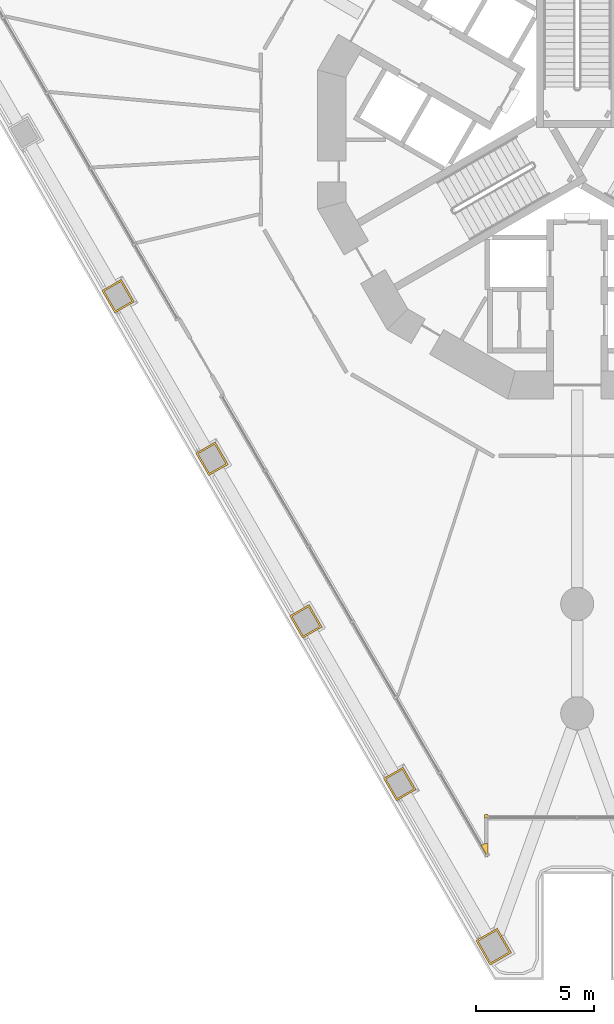
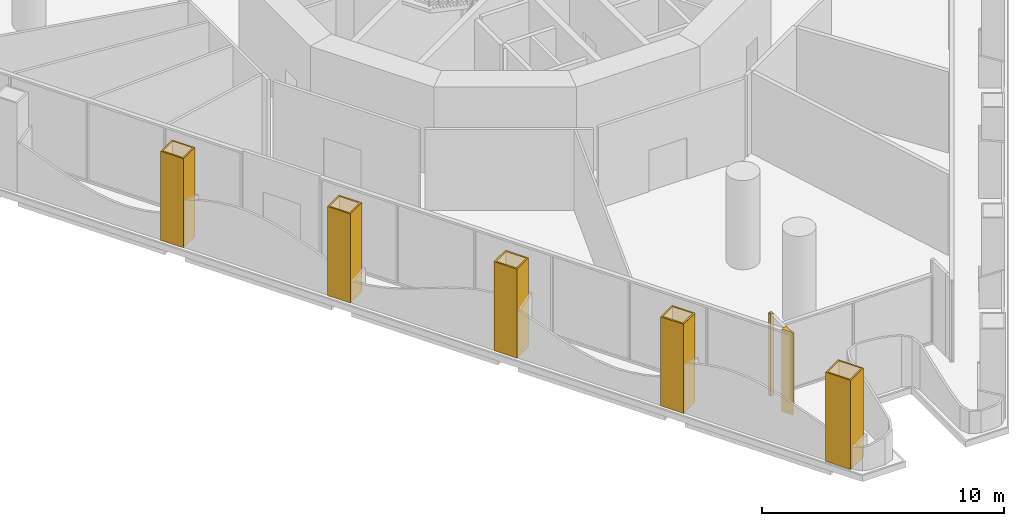
# One storey, part 16 of 23: 7 coverings.
"""IFC4 building model written with IfcOpenShell, lengths in metres."""

from ifc_helpers import new_model, si_unit, direction, frame, origin, place, context, subcontext, project, spatial, polyline, outline, extrude, material, layer, layer_set, type_object, element, save


model = new_model("IFC4")

# Units and contexts
model_context = context("Model", 3, precision=1e-05, world=origin(), true_north=direction((0.0, 1.0)))
body_context = subcontext(model_context, "Body", "Model", "MODEL_VIEW")
ifc_project = project(units=[si_unit("LENGTHUNIT", "METRE"), si_unit("AREAUNIT", "SQUARE_METRE"), si_unit("VOLUMEUNIT", "CUBIC_METRE"), si_unit("PLANEANGLEUNIT", "RADIAN"), si_unit("MASSUNIT", "GRAM", prefix="KILO")], contexts=[model_context])

# Site, building, storey
site_placement = place(None, origin())
site = spatial("IfcSite", under=ifc_project, at=site_placement, CompositionType="ELEMENT")
building_placement = place(site_placement, origin())
building = spatial("IfcBuilding", under=site, at=building_placement, Name="Trine Commons Tower", CompositionType="ELEMENT")
storey_placement = place(building_placement, frame((0.0, 0.0, 18.0)))
storey = spatial("IfcBuildingStorey", under=building, at=storey_placement, Name="L03", CompositionType="ELEMENT", Elevation=18.0)

# Coverings
ifc_material_1 = material(Name="Aluminium-framed insulated wall panel", Category="aluminium")
ifc_layer_1 = layer(ifc_material_1, 0.14990234375)
ifc_layer_set_1 = layer_set([ifc_layer_1], Name="Aluminium-framed insulated wall panel")
covering_type_1 = type_object("IfcCoveringType", Name="Glazing corner post, aluminium", PredefinedType="CLADDING", material=ifc_layer_set_1)
covering_1_placement = place(storey_placement, origin())
element("IfcCovering", 1, at=covering_1_placement, inside=storey, type_object=covering_type_1, Name="Glazing corner post 1-11", PredefinedType="CLADDING", context=body_context, shape_type="SweptSolid", body=[
    extrude(outline(polyline([(76.2099609375, 33.870849609375), (76.06005859375, 33.870849609375), (76.06005859375, 33.720703125), (76.2099609375, 33.720703125), (76.2099609375, 33.870849609375)])), origin(), (0.0, 0.0, 1.0), 4.14990234375),
])
covering_2_placement = place(storey_placement, origin())
element("IfcCovering", 2, at=covering_2_placement, inside=storey, type_object=covering_type_1, Name="Glazing corner post 1-12", PredefinedType="CLADDING", context=body_context, shape_type="SweptSolid", body=[
    extrude(outline(polyline([(75.93017578125, 32.56005859375), (76.2099609375, 32.0751953125), (76.2099609375, 32.635009765625), (76.06005859375, 32.635009765625), (75.93017578125, 32.56005859375)])), origin(), (0.0, 0.0, 1.0), 4.14990234375),
])
ifc_material_2 = material(Name="Limestone, honed", Category="masonry")
ifc_layer_2 = layer(ifc_material_2, 0.074951171875)
ifc_layer_set_2 = layer_set([ifc_layer_2], Name="Limestone, honed")
covering_type_2 = type_object("IfcCoveringType", Name="Limestone column cladding 75", PredefinedType="CLADDING", material=ifc_layer_set_2)
covering_3_placement = place(storey_placement, origin())
element("IfcCovering", 3, at=covering_3_placement, inside=storey, type_object=covering_type_2, Name="Limestone pier cladding 1-01", PredefinedType="CLADDING", context=body_context, shape_type="SweptSolid", body=[
    extrude(outline(polyline([(76.610107421875, 29.052001953125), (75.70068359375, 28.527099609375), (76.30078125, 27.48779296875), (77.210205078125, 28.012939453125), (76.610107421875, 29.052001953125)]), holes=[polyline([(76.582763671875, 28.94970703125), (75.80322265625, 28.499755859375), (76.328369140625, 27.59033203125), (77.107666015625, 28.040283203125), (76.582763671875, 28.94970703125)])]), origin(), (0.0, 0.0, 1.0), 4.5),
])
covering_4_placement = place(storey_placement, origin())
element("IfcCovering", 4, at=covering_4_placement, inside=storey, type_object=covering_type_2, Name="Limestone pier cladding 1-02", PredefinedType="CLADDING", context=body_context, shape_type="SweptSolid", body=[
    extrude(outline(polyline([(72.610107421875, 35.88037109375), (71.787353515625, 35.4052734375), (72.33740234375, 34.45263671875), (73.16015625, 34.927734375), (72.610107421875, 35.88037109375)]), holes=[polyline([(72.582763671875, 35.77783203125), (71.889892578125, 35.3779296875), (72.364990234375, 34.55517578125), (73.0576171875, 34.955078125), (72.582763671875, 35.77783203125)])]), origin(), (0.0, 0.0, 1.0), 4.5),
])
covering_5_placement = place(storey_placement, origin())
element("IfcCovering", 5, at=covering_5_placement, inside=storey, type_object=covering_type_2, Name="Limestone pier cladding 1-03", PredefinedType="CLADDING", context=body_context, shape_type="SweptSolid", body=[
    extrude(outline(polyline([(68.62841796875, 42.77685546875), (67.8056640625, 42.3017578125), (68.355712890625, 41.34912109375), (69.178466796875, 41.82421875), (68.62841796875, 42.77685546875)]), holes=[polyline([(68.60107421875, 42.67431640625), (67.908203125, 42.2744140625), (68.38330078125, 41.45166015625), (69.075927734375, 41.8515625), (68.60107421875, 42.67431640625)])]), origin(), (0.0, 0.0, 1.0), 4.5),
])
covering_6_placement = place(storey_placement, origin())
element("IfcCovering", 6, at=covering_6_placement, inside=storey, type_object=covering_type_2, Name="Limestone pier cladding 1-04", PredefinedType="CLADDING", context=body_context, shape_type="SweptSolid", body=[
    extrude(outline(polyline([(64.64697265625, 49.67333984375), (63.82421875, 49.1982421875), (64.3740234375, 48.24560546875), (65.197021484375, 48.720703125), (64.64697265625, 49.67333984375)]), holes=[polyline([(64.619384765625, 49.57080078125), (63.926513671875, 49.1708984375), (64.401611328125, 48.34814453125), (65.094482421875, 48.748046875), (64.619384765625, 49.57080078125)])]), origin(), (0.0, 0.0, 1.0), 4.5),
])
covering_7_placement = place(storey_placement, origin())
element("IfcCovering", 7, at=covering_7_placement, inside=storey, type_object=covering_type_2, Name="Limestone pier cladding 1-05", PredefinedType="CLADDING", context=body_context, shape_type="SweptSolid", body=[
    extrude(outline(polyline([(60.665283203125, 56.569580078125), (59.84228515625, 56.0947265625), (60.392333984375, 55.14208984375), (61.215087890625, 55.6171875), (60.665283203125, 56.569580078125)]), holes=[polyline([(60.6376953125, 56.46728515625), (59.94482421875, 56.0673828125), (60.419921875, 55.244384765625), (61.11279296875, 55.64453125), (60.6376953125, 56.46728515625)])]), origin(), (0.0, 0.0, 1.0), 4.5),
])

save(model, "model.ifc")
